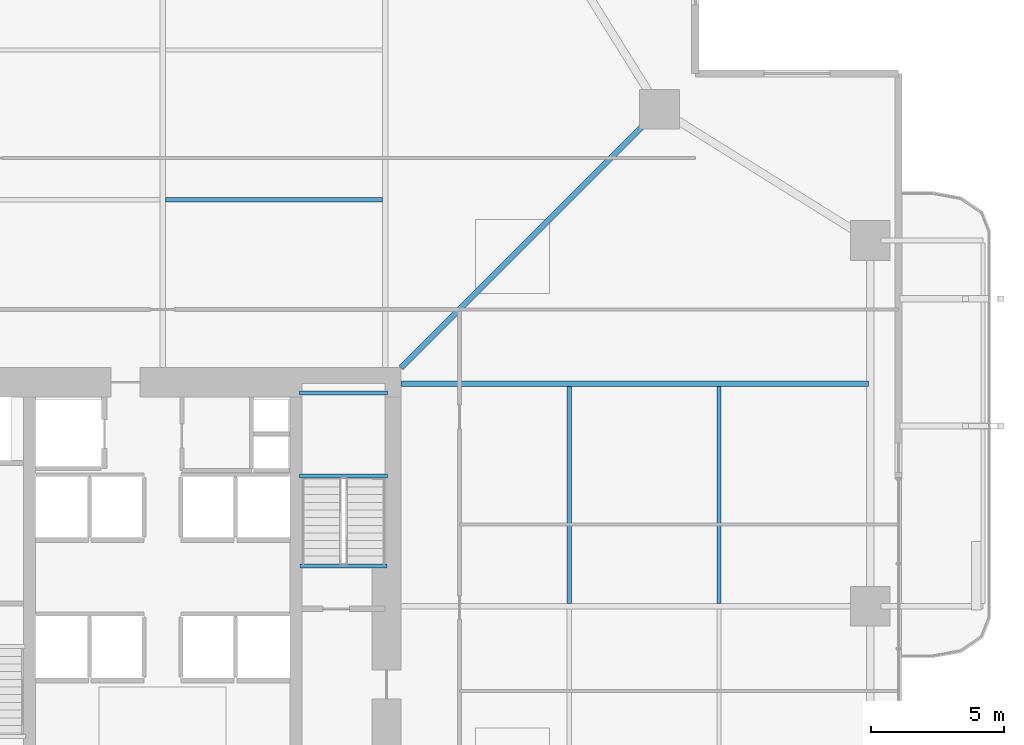
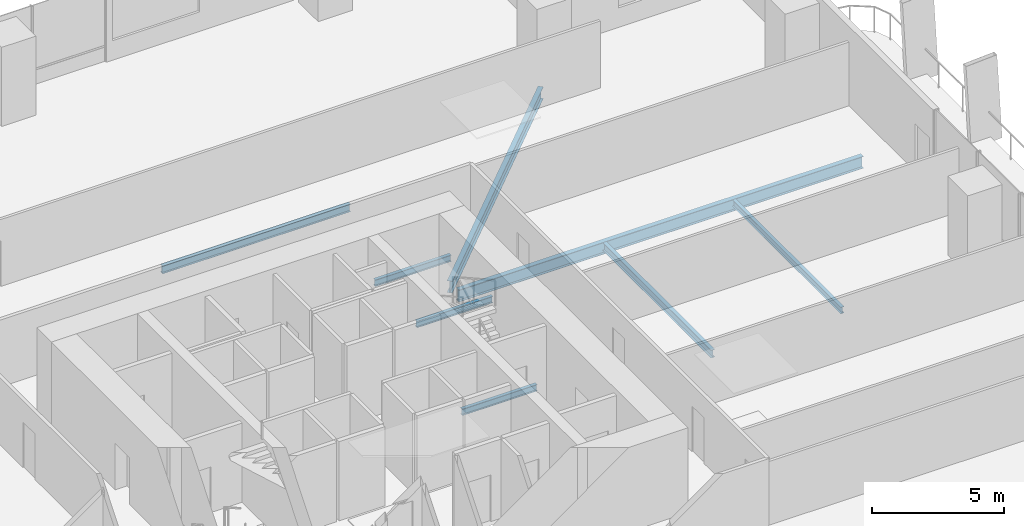
# One storey, part 12 of 24: 8 beams.
"""IFC4 building model written with IfcOpenShell, lengths in metres."""

import ifcopenshell
import ifcopenshell.guid

model = None  # the IFC model being written
_history = None  # IfcOwnerHistory: only IFC2X3 demands one
_inside = {}  # id of a spatial element -> (the spatial element, [elements in it])
_under = {}  # id of a project, library or spatial element -> (it, [spatial elements below it])
_declared = {}  # id of a project -> (the project, [libraries it declares])
_typed = {}  # id of a type object -> (the type object, [elements of that type])
_made_of = {}  # id of a material, layer set ... -> (it, [elements and type objects made of it])


def new_model(schema):
    """Start an empty IFC model of exactly this schema.

    Asked for "IFC4X3", IfcOpenShell would pick the latest addendum, in which some entities
    have other attributes; the version numbers below select the first issue.
    IFC2X3 requires an IfcOwnerHistory on every rooted entity: one is made here for all.
    """
    global model, _history
    if schema == "IFC4X3":
        model = ifcopenshell.file(schema_version=(4, 3, 0, 0))
    else:
        model = ifcopenshell.file(schema=schema)
    _inside.clear()
    _under.clear()
    _declared.clear()
    _typed.clear()
    _made_of.clear()
    _history = None
    if model.schema == "IFC2X3":
        org = make("IfcOrganization", Name="unknown")
        user = make(
            "IfcPersonAndOrganization",
            ThePerson=make("IfcPerson", FamilyName="unknown"),
            TheOrganization=org,
        )
        app = make(
            "IfcApplication",
            ApplicationDeveloper=org,
            Version="unknown",
            ApplicationFullName="unknown",
            ApplicationIdentifier="unknown",
        )
        _history = make(
            "IfcOwnerHistory",
            OwningUser=user,
            OwningApplication=app,
            ChangeAction="ADDED",
            CreationDate=0,
        )
    return model


def make(cls, **values):
    """One entity of the class cls with the attributes given. An attribute that is None is left unset."""
    return model.create_entity(
        cls, **{name: value for name, value in values.items() if value is not None}
    )


def rooted(cls, **values):
    """An entity with a GlobalId (a new one), such as an element, a storey or a relation."""
    return make(cls, GlobalId=ifcopenshell.guid.new(), OwnerHistory=_history, **values)


def si_unit(unit_type, name, prefix=None):
    """IfcSIUnit, for example si_unit("LENGTHUNIT", "METRE", prefix="MILLI")."""
    return make("IfcSIUnit", UnitType=unit_type, Prefix=prefix, Name=name)


def assignment(units):
    """IfcUnitAssignment: the units of a project."""
    return None if units is None else make("IfcUnitAssignment", Units=units)


def point(xyz):
    """IfcCartesianPoint."""
    return None if xyz is None else make("IfcCartesianPoint", Coordinates=xyz)


def direction(xyz):
    """IfcDirection."""
    return None if xyz is None else make("IfcDirection", DirectionRatios=xyz)


def frame(location, z_axis=None, x_axis=None):
    """IfcAxis2Placement3D, a coordinate frame: its origin and axes. An axis left out is left unset."""
    return make(
        "IfcAxis2Placement3D",
        Location=point(location),
        Axis=direction(z_axis),
        RefDirection=direction(x_axis),
    )


def frame_2d(location, x_axis=None):
    """IfcAxis2Placement2D, a coordinate frame in the plane: its origin and x axis."""
    return make(
        "IfcAxis2Placement2D", Location=point(location), RefDirection=direction(x_axis)
    )


def origin():
    """The frame at (0, 0, 0) with its axes left unset."""
    return frame((0.0, 0.0, 0.0))


def origin_2d():
    """The frame at (0, 0) in the plane with its x axis left unset."""
    return frame_2d((0.0, 0.0))


def place(relative_to, where):
    """IfcLocalPlacement: puts the frame where relative to a parent placement (None: the world)."""
    return make(
        "IfcLocalPlacement", PlacementRelTo=relative_to, RelativePlacement=where
    )


def context(
    kind, dimensions, precision=None, world=None, true_north=None, identifier=None
):
    """IfcGeometricRepresentationContext, for example the 3D "Model" context."""
    return make(
        "IfcGeometricRepresentationContext",
        ContextIdentifier=identifier,
        ContextType=kind,
        CoordinateSpaceDimension=dimensions,
        Precision=precision,
        WorldCoordinateSystem=world,
        TrueNorth=true_north,
    )


def subcontext(parent, identifier, kind, view, scale=None):
    """IfcGeometricRepresentationSubContext, for example "Body" below "Model"."""
    return make(
        "IfcGeometricRepresentationSubContext",
        ContextIdentifier=identifier,
        ContextType=kind,
        ParentContext=parent,
        TargetScale=scale,
        TargetView=view,
    )


def project(units=None, contexts=None):
    """IfcProject with its units and contexts."""
    return rooted(
        "IfcProject",
        Name="project",
        RepresentationContexts=contexts,
        UnitsInContext=assignment(units),
    )


def spatial(cls, under=None, at=None, **own):
    """A site, building, storey or space (cls), placed at a placement, below another one or the project."""
    s = rooted(cls, ObjectPlacement=at, **own)
    if under is not None:
        _under.setdefault(under.id(), (under, []))[1].append(s)
    return s


def profile(cls, at=None, kind="AREA", **sizes):
    """A parametric profile (cls). Its sizes go by their IFC names, for example OverallWidth=200.0."""
    return make(cls, ProfileType=kind, Position=at, **sizes)


def i_section(**sizes):
    """IfcIShapeProfileDef."""
    return profile("IfcIShapeProfileDef", **sizes)


def extrude(swept, where, along, depth):
    """IfcExtrudedAreaSolid: the profile swept, set in the frame where, extruded along a direction by depth."""
    return make(
        "IfcExtrudedAreaSolid",
        SweptArea=swept,
        Position=where,
        ExtrudedDirection=direction(along),
        Depth=depth,
    )


def shape(context_of_items, identifier, shape_type, items):
    """IfcShapeRepresentation: the items that make up one representation, for example the "Body"."""
    return make(
        "IfcShapeRepresentation",
        ContextOfItems=context_of_items,
        RepresentationIdentifier=identifier,
        RepresentationType=shape_type,
        Items=items,
    )


def material(Name=None, Category=None):
    """IfcMaterial."""
    return make("IfcMaterial", Name=Name, Category=Category)


def material_profile(
    of_material, cross_section, Name=None, Category=None, Priority=None
):
    """IfcMaterialProfile: a cross section and its material."""
    return make(
        "IfcMaterialProfile",
        Name=Name,
        Material=of_material,
        Profile=cross_section,
        Priority=Priority,
        Category=Category,
    )


def profile_set(profiles, Name=None, composite=None):
    """IfcMaterialProfileSet."""
    return make(
        "IfcMaterialProfileSet",
        Name=Name,
        MaterialProfiles=profiles,
        CompositeProfile=composite,
    )


def made_of(thing, what):
    """Note that an element or type object is made of a material, layer set ...; save() writes the relation."""
    if what is not None:
        _made_of.setdefault(what.id(), (what, []))[1].append(thing)
    return thing


def type_object(cls, material=None, **own):
    """A type object (cls), such as IfcWallType, which elements share."""
    return made_of(rooted(cls, **own), material)


def element(
    cls,
    number,
    at=None,
    inside=None,
    cuts=None,
    type_object=None,
    material=None,
    context=None,
    identifier="Body",
    shape_type=None,
    held_by="IfcProductDefinitionShape",
    body=None,
    shapes=None,
    **own,
):
    """One element of the class cls, such as IfcWall. Its Tag is "e" and its number.

    at: its placement. inside: the storey or other place that contains it. cuts: it is an
    opening in that element (IfcRelVoidsElement). A single representation is given by context,
    identifier, shape_type and body (its items); several are given by shapes. held_by: the class
    of the entity that holds the representations. save() writes the other relations.
    """
    e = rooted(cls, Tag="e%d" % number, ObjectPlacement=at, **own)
    if body is not None:
        shapes = [shape(context, identifier, shape_type, body)]
    if shapes is not None:
        e.Representation = make(held_by, Representations=shapes)
    if inside is not None:
        _inside.setdefault(inside.id(), (inside, []))[1].append(e)
    if cuts is not None:
        rooted(
            "IfcRelVoidsElement", RelatingBuildingElement=cuts, RelatedOpeningElement=e
        )
    if type_object is not None:
        _typed.setdefault(type_object.id(), (type_object, []))[1].append(e)
    return made_of(e, material)


def aggregate(whole, parts):
    """IfcRelAggregates: a whole, such as a stair, and the parts it consists of."""
    return rooted("IfcRelAggregates", RelatingObject=whole, RelatedObjects=parts)


def save(model, path):
    """Write the relations noted so far, then the file.

    IfcRelAggregates (storeys below a building ...), IfcRelContainedInSpatialStructure (elements
    in a storey), IfcRelDefinesByType, IfcRelAssociatesMaterial and IfcRelDeclares: one each for
    every whole, place, type object, material and project.
    """
    for whole, parts in _under.values():
        aggregate(whole, parts)
    for where, things in _inside.values():
        rooted(
            "IfcRelContainedInSpatialStructure",
            RelatedElements=things,
            RelatingStructure=where,
        )
    for kind, things in _typed.values():
        rooted("IfcRelDefinesByType", RelatedObjects=things, RelatingType=kind)
    for what, things in _made_of.values():
        rooted("IfcRelAssociatesMaterial", RelatedObjects=things, RelatingMaterial=what)
    for by, libraries in _declared.values():
        rooted("IfcRelDeclares", RelatingContext=by, RelatedDefinitions=libraries)
    model.write(path)


model = new_model("IFC4")

# Units and contexts
model_context = context("Model", 3, precision=1e-05, world=origin(), true_north=direction((0.0, 1.0)))
body_context = subcontext(model_context, "Body", "Model", "MODEL_VIEW")
ifc_project = project(units=[si_unit("LENGTHUNIT", "METRE"), si_unit("AREAUNIT", "SQUARE_METRE"), si_unit("VOLUMEUNIT", "CUBIC_METRE"), si_unit("PLANEANGLEUNIT", "RADIAN"), si_unit("MASSUNIT", "GRAM", prefix="KILO")], contexts=[model_context])

# Site, building, storey
site_placement = place(None, origin())
site = spatial("IfcSite", under=ifc_project, at=site_placement, CompositionType="ELEMENT")
building_placement = place(site_placement, origin())
building = spatial("IfcBuilding", under=site, at=building_placement, Name="Belovzor Exchange Tower", CompositionType="ELEMENT")
storey_placement = place(building_placement, frame((0.0, 0.0, 37.800048828125)))
storey = spatial("IfcBuildingStorey", under=building, at=storey_placement, Name="L08", CompositionType="ELEMENT", Elevation=37.800048828125)

# Beams
ifc_material_1 = material(Name="Steel S355", Category="steel")
ifc_material_profile_1 = material_profile(ifc_material_1, i_section(OverallWidth=0.169921875, OverallDepth=0.360107421875, WebThickness=0.008056640625, FlangeThickness=0.0126953125, at=origin_2d()))
ifc_profile_set_1 = profile_set([ifc_material_profile_1], Name="Steel S355")
beam_type_1 = type_object("IfcBeamType", Name="Secondary Infill Floor Joist IPE 360", PredefinedType="BEAM", material=ifc_profile_set_1)
for number, where, z_axis, x_axis, name in (
    (1, (28.905029296875, 44.14501953125, -0.429931640625), (1.0, 0.0, 0.0), (0.0, 1.0, 0.0), "FJ-360 Secondary Infill Floor Joist IPE 360"),
    (2, (44.14501953125, 28.905029296875, -0.429931640625), (0.0, 1.0, 0.0), (-1.0, 0.0, 0.0), "FJ-360 Secondary Infill Floor Joist IPE 360"),
):
    element("IfcBeam", number, at=place(storey_placement, frame(where, z_axis=z_axis, x_axis=x_axis)), inside=storey, type_object=beam_type_1, Name=name, PredefinedType="BEAM", context=body_context, shape_type="SweptSolid", body=[
        extrude(i_section(OverallWidth=0.169921875, OverallDepth=0.360107421875, WebThickness=0.008056640625, FlangeThickness=0.0126953125, at=origin_2d()), origin(), (0.0, 0.0, 1.0), 8.18994140625),
    ])
ifc_material_2 = material(Name="Steel S355", Category="steel")
ifc_material_profile_2 = material_profile(ifc_material_2, i_section(OverallWidth=0.14990234375, OverallDepth=0.300048828125, WebThickness=0.007080078125, FlangeThickness=0.0107421875, at=origin_2d()))
ifc_profile_set_2 = profile_set([ifc_material_profile_2], Name="Steel S355")
beam_type_2 = type_object("IfcBeamType", Name="Secondary Trim Floor Joist IPE 300", PredefinedType="BEAM", material=ifc_profile_set_2)
for number, where, z_axis, x_axis, name in (
    (3, (37.280029296875, 33.7099609375, 1.599853515625), (-1.0, 0.0, 0.0), (0.0, -1.0, 0.0), "FJ-300 Secondary Trim Floor Joist IPE 300"),
    (4, (37.280029296875, 36.85009765625, 1.599853515625), (-1.0, 0.0, 0.0), (0.0, -1.0, 0.0), "FJ-300 Secondary Trim Floor Joist IPE 300"),
):
    element("IfcBeam", number, at=place(storey_placement, frame(where, z_axis=z_axis, x_axis=x_axis)), inside=storey, type_object=beam_type_2, Name=name, PredefinedType="BEAM", context=body_context, shape_type="SweptSolid", body=[
        extrude(i_section(OverallWidth=0.14990234375, OverallDepth=0.300048828125, WebThickness=0.007080078125, FlangeThickness=0.0107421875, at=origin_2d()), origin(), (0.0, 0.0, 1.0), 3.31005859375),
    ])
beam_1_placement = place(storey_placement, frame((37.260009765625, 30.320068359375, -0.400146484375), z_axis=(-1.0, 0.0, 0.0), x_axis=(0.0, -1.0, 0.0)))
element("IfcBeam", 5, at=beam_1_placement, inside=storey, type_object=beam_type_2, Name="FJ-300 Secondary Trim Floor Joist IPE 300", PredefinedType="BEAM", context=body_context, shape_type="SweptSolid", body=[
    extrude(i_section(OverallWidth=0.14990234375, OverallDepth=0.300048828125, WebThickness=0.007080078125, FlangeThickness=0.0107421875, at=origin_2d()), origin(), (0.0, 0.0, 1.0), 3.27001953125),
])
beam_2_placement = place(storey_placement, frame((49.784912109375, 28.905029296875, -0.400146484375), z_axis=(0.0, 1.0, 0.0), x_axis=(-1.0, 0.0, 0.0)))
element("IfcBeam", 6, at=beam_2_placement, inside=storey, type_object=beam_type_2, Name="FJ-300 Secondary Trim Floor Joist IPE 300", PredefinedType="BEAM", context=body_context, shape_type="SweptSolid", body=[
    extrude(i_section(OverallWidth=0.14990234375, OverallDepth=0.300048828125, WebThickness=0.007080078125, FlangeThickness=0.0107421875, at=origin_2d()), origin(), (0.0, 0.0, 1.0), 8.18994140625),
])
ifc_material_3 = material(Name="Steel S355", Category="steel")
ifc_material_profile_3 = material_profile(ifc_material_3, i_section(OverallWidth=0.2099609375, OverallDepth=0.550048828125, WebThickness=0.010986328125, FlangeThickness=0.01708984375, at=origin_2d()))
ifc_profile_set_3 = profile_set([ifc_material_profile_3], Name="Steel S355")
beam_type_3 = type_object("IfcBeamType", Name="Zone 1 Radial Composite Floor Beam IPE 550", PredefinedType="BEAM", material=ifc_profile_set_3)
beam_3_placement = place(storey_placement, frame((37.800048828125, 37.199951171875, -0.525146484375), z_axis=(1.0, 0.0, 0.0), x_axis=(0.0, 1.0, 0.0)))
element("IfcBeam", 7, at=beam_3_placement, inside=storey, type_object=beam_type_3, Name="FB-550 Zone 1 Radial Composite Floor Beam IPE 550", PredefinedType="BEAM", context=body_context, shape_type="SweptSolid", body=[
    extrude(i_section(OverallWidth=0.2099609375, OverallDepth=0.550048828125, WebThickness=0.010986328125, FlangeThickness=0.01708984375, at=origin_2d()), origin(), (0.0, 0.0, 1.0), 17.625),
])
beam_4_placement = place(storey_placement, frame((37.800048828125, 37.800048828125, -0.525146484375), z_axis=(0.707106781187, 0.707106781187, 0.0), x_axis=(-0.707106781187, 0.707106781187, 0.0)))
element("IfcBeam", 8, at=beam_4_placement, inside=storey, type_object=beam_type_3, Name="FB-550 Zone 1 Radial Composite Floor Beam IPE 550", PredefinedType="BEAM", context=body_context, shape_type="SweptSolid", body=[
    extrude(i_section(OverallWidth=0.2099609375, OverallDepth=0.550048828125, WebThickness=0.010986328125, FlangeThickness=0.01708984375, at=origin_2d()), origin(), (0.0, 0.0, 1.0), 13.25830078125),
])

save(model, "model.ifc")
